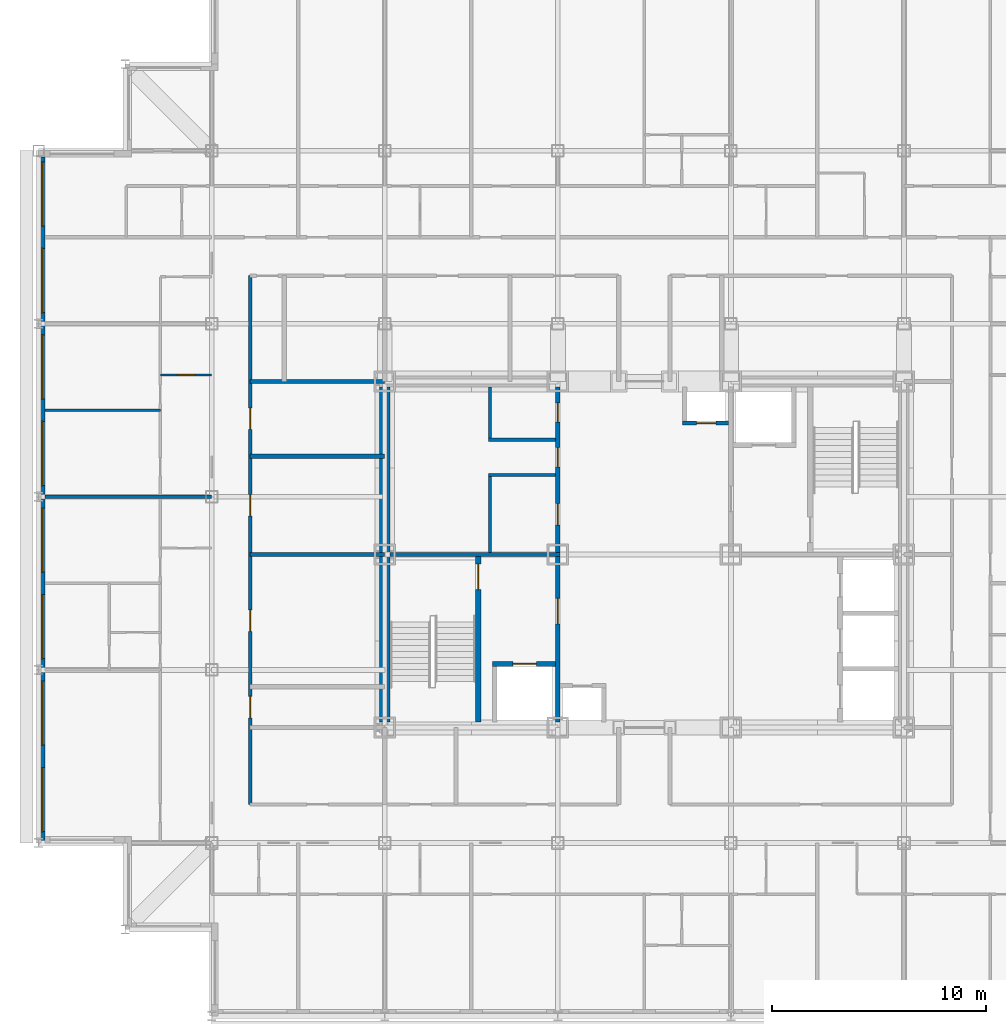
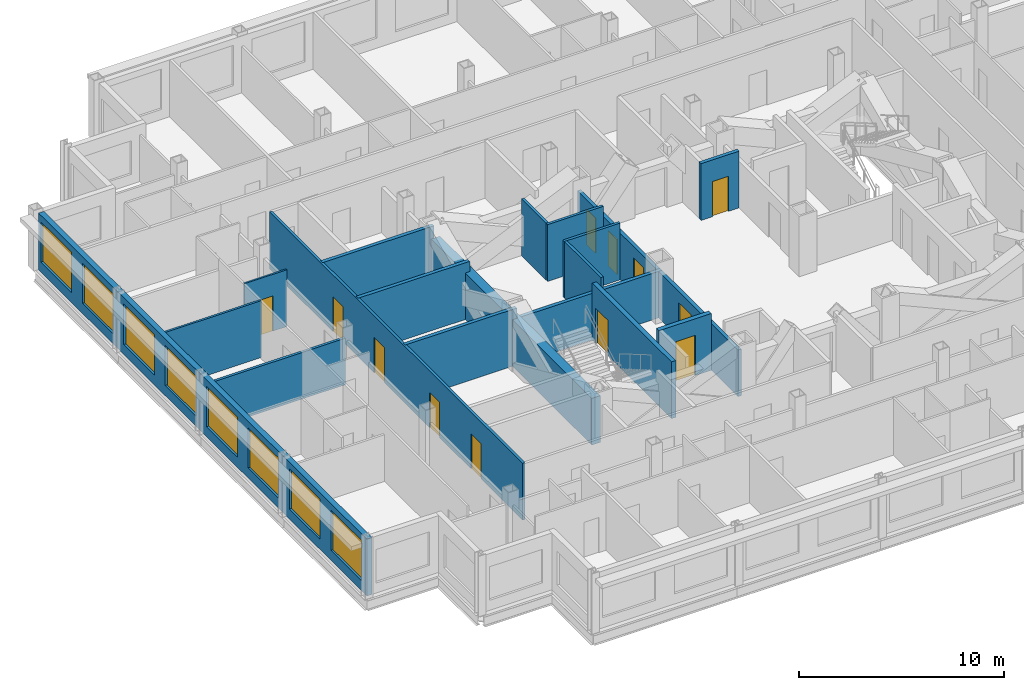
# One storey, part 6 of 12: 19 walls, 12 doors, 8 windows, 20 openings.
"""IFC4 building model written with IfcOpenShell, lengths in metres."""

from ifc_helpers import new_model, si_unit, direction, frame, frame_2d, origin, place, context, subcontext, project, spatial, rectangle, extrude, material, layer, layer_set, type_object, element, fill, save


model = new_model("IFC4")

# Units and contexts
model_context = context("Model", 3, precision=1e-05, world=origin(), true_north=direction((0.0, 1.0)))
body_context = subcontext(model_context, "Body", "Model", "MODEL_VIEW")
ifc_project = project(units=[si_unit("LENGTHUNIT", "METRE"), si_unit("AREAUNIT", "SQUARE_METRE"), si_unit("VOLUMEUNIT", "CUBIC_METRE"), si_unit("PLANEANGLEUNIT", "RADIAN"), si_unit("MASSUNIT", "GRAM", prefix="KILO")], contexts=[model_context])

# Site, building, storey
site_placement = place(None, origin())
site = spatial("IfcSite", under=ifc_project, at=site_placement, CompositionType="ELEMENT")
building_placement = place(site_placement, origin())
building = spatial("IfcBuilding", under=site, at=building_placement, Name="Kopane Lantern Tower", CompositionType="ELEMENT")
storey_placement = place(building_placement, frame((0.0, 0.0, 206.39990234375)))
storey = spatial("IfcBuildingStorey", under=building, at=storey_placement, Name="L53", CompositionType="ELEMENT", Elevation=206.39990234375)

# Wall
ifc_material_1 = material(Name="Gypsum board on steel studs", Category="steel")
ifc_layer_1 = layer(ifc_material_1, 0.1201171875)
ifc_layer_set_1 = layer_set([ifc_layer_1], Name="APARTMENT INTERNAL WALL 120")
wall_type_1 = type_object("IfcWallType", Name="APARTMENT INTERNAL WALL 120", PredefinedType="PARTITIONING", material=ifc_layer_set_1)
wall_1_placement = place(storey_placement, frame((5.699951171875, 39.14990234375, 0.0), z_axis=(0.0, 0.0, 1.0), x_axis=(-1.0, 0.0, 0.0)))
element("IfcWall", 1, at=wall_1_placement, inside=storey, type_object=wall_type_1, Name="Apartment Internal Wall 120 L53", PredefinedType="PARTITIONING", context=body_context, shape_type="SweptSolid", body=[
    extrude(rectangle(XDim=5.39990234375, YDim=0.1201171875, at=frame_2d((2.699951171875, 0.0))), origin(), (0.0, 0.0, 1.0), 3.39013671875),
])

# Wall, opening, door
ifc_material_2 = material(Name="Moisture-resistant board on steel studs", Category="steel")
ifc_layer_2 = layer(ifc_material_2, 0.10009765625)
ifc_layer_set_2 = layer_set([ifc_layer_2], Name="BATHROOM WALL 100")
wall_type_2 = type_object("IfcWallType", Name="BATHROOM WALL 100", PredefinedType="PARTITIONING", material=ifc_layer_set_2)
wall_2_placement = place(storey_placement, frame((8.10009765625, 40.800048828125, 0.0), z_axis=(0.0, 0.0, 1.0), x_axis=(-1.0, 0.0, 0.0)))
wall_2 = element("IfcWall", 2, at=wall_2_placement, inside=storey, type_object=wall_type_2, Name="Bathroom Wall 100 L53", PredefinedType="PARTITIONING", context=body_context, shape_type="SweptSolid", body=[
    extrude(rectangle(XDim=2.400146484375, YDim=0.10009765625, at=frame_2d((1.2001953125, 0.0))), origin(), (0.0, 0.0, 1.0), 3.39013671875),
])
opening_1_placement = place(wall_2_placement, frame((0.800048828125, 0.0, 0.0)))
opening_1 = element("IfcOpeningElement", 3, at=opening_1_placement, cuts=wall_2, Name="Opening L53-047", PredefinedType="OPENING", context=body_context, shape_type="SweptSolid", body=[
    extrude(rectangle(XDim=0.800048828125, YDim=2.10009765625, at=frame_2d((0.39990234375, 1.050048828125))), frame((0.0, 0.06005859375, 0.0), z_axis=(0.0, -1.0, 0.0), x_axis=(1.0, 0.0, 0.0)), (0.0, 0.0, 1.0), 0.1201171875),
])
ifc_material_3 = material(Name="Timber door set", Category="wood")
door_type_1 = type_object("IfcDoorType", Name="DOOR D2 800x2100", OperationType="SINGLE_SWING_LEFT", PredefinedType="DOOR", material=ifc_material_3)
door_1_placement = place(opening_1_placement, origin())
door_1 = element("IfcDoor", 4, at=door_1_placement, inside=storey, type_object=door_type_1, Name="Door L53-047", OperationType="SINGLE_SWING_RIGHT", OverallHeight=2.10009765625, OverallWidth=0.800048828125, PredefinedType="DOOR", context=body_context, shape_type="SweptSolid", body=[
    extrude(rectangle(XDim=0.800048828125, YDim=2.10009765625, at=frame_2d((0.39990234375, 1.050048828125))), frame((0.0, 0.02490234375, 0.0), z_axis=(0.0, -1.0, 0.0), x_axis=(1.0, 0.0, 0.0)), (0.0, 0.0, 1.0), 0.050048828125),
])
fill(opening_1, door_1)

# Walls
ifc_material_4 = material(Name="Gypsum shaft wall EI 120", Category="gypsum")
ifc_layer_3 = layer(ifc_material_4, 0.5)
ifc_layer_set_3 = layer_set([ifc_layer_3], Name="CORE PERIMETER WALL 500 EI 120")
wall_type_3 = type_object("IfcWallType", Name="CORE PERIMETER WALL 500 EI 120", PredefinedType="SOLIDWALL", material=ifc_layer_set_3)
wall_3_placement = place(storey_placement, frame((16.199951171875, 24.550048828125, 0.0), z_axis=(0.0, 0.0, 1.0), x_axis=(0.0, 1.0, 0.0)))
element("IfcWall", 5, at=wall_3_placement, inside=storey, type_object=wall_type_3, Name="Core shaft wall L53 PW", PredefinedType="SOLIDWALL", context=body_context, shape_type="SweptSolid", body=[
    extrude(rectangle(XDim=15.699951171875, YDim=0.5, at=frame_2d((7.85009765625, 0.0))), origin(), (0.0, 0.0, 1.0), 2.77783203125),
])
ifc_material_5 = material(Name="Gypsum partition EI 60", Category="gypsum")
ifc_layer_4 = layer(ifc_material_5, 0.14990234375)
ifc_layer_set_4 = layer_set([ifc_layer_4], Name="CORE ROOM PARTITION 150 EI 60")
wall_type_4 = type_object("IfcWallType", Name="CORE ROOM PARTITION 150 EI 60", PredefinedType="PARTITIONING", material=ifc_layer_set_4)
for number, where, z_axis, x_axis, name in (
    (6, (21.050048828125, 36.125, 0.0), (0.0, 0.0, 1.0), (1.0, 0.0, 0.0), "Core room partition L53 WW1"),
    (7, (21.050048828125, 37.77490234375, 0.0), (0.0, 0.0, 1.0), (1.0, 0.0, 0.0), "Core room partition L53 WW2"),
):
    element("IfcWall", number, at=place(storey_placement, frame(where, z_axis=z_axis, x_axis=x_axis)), inside=storey, type_object=wall_type_4, Name=name, PredefinedType="PARTITIONING", context=body_context, shape_type="SweptSolid", body=[
        extrude(rectangle(XDim=3.14990234375, YDim=0.14990234375, at=frame_2d((1.574951171875, 0.0))), origin(), (0.0, 0.0, 1.0), 3.39013671875),
    ])
wall_4_placement = place(storey_placement, frame((21.125, 32.5, 0.0), z_axis=(0.0, 0.0, 1.0), x_axis=(0.0, 1.0, 0.0)))
element("IfcWall", 8, at=wall_4_placement, inside=storey, type_object=wall_type_4, Name="Core room partition L53 WWB0", PredefinedType="PARTITIONING", context=body_context, shape_type="SweptSolid", body=[
    extrude(rectangle(XDim=3.550048828125, YDim=0.14990234375, at=frame_2d((1.77490234375, 0.0))), origin(), (0.0, 0.0, 1.0), 3.39013671875),
])
wall_5_placement = place(storey_placement, frame((21.125, 37.85009765625, 0.0), z_axis=(0.0, 0.0, 1.0), x_axis=(0.0, 1.0, 0.0)))
element("IfcWall", 9, at=wall_5_placement, inside=storey, type_object=wall_type_4, Name="Core room partition L53 WWB1", PredefinedType="PARTITIONING", context=body_context, shape_type="SweptSolid", body=[
    extrude(rectangle(XDim=2.39990234375, YDim=0.14990234375, at=frame_2d((1.199951171875, 0.0))), origin(), (0.0, 0.0, 1.0), 3.39013671875),
])

# Wall, openings, doors
ifc_material_6 = material(Name="Gypsum partition EI 60", Category="gypsum")
ifc_layer_5 = layer(ifc_material_6, 0.199951171875)
ifc_layer_set_5 = layer_set([ifc_layer_5], Name="CORE ROOM WALL 200 EI 60")
wall_type_5 = type_object("IfcWallType", Name="CORE ROOM WALL 200 EI 60", PredefinedType="PARTITIONING", material=ifc_layer_set_5)
wall_6_placement = place(storey_placement, frame((24.300048828125, 32.5, 0.0), z_axis=(0.0, 0.0, 1.0), x_axis=(0.0, 1.0, 0.0)))
wall_6 = element("IfcWall", 10, at=wall_6_placement, inside=storey, type_object=wall_type_5, Name="Core room wall L53 XW", PredefinedType="PARTITIONING", context=body_context, shape_type="SweptSolid", body=[
    extrude(rectangle(XDim=7.75, YDim=0.199951171875, at=frame_2d((3.875, 0.0))), origin(), (0.0, 0.0, 1.0), 2.77783203125),
])
opening_2_placement = place(wall_6_placement, frame((1.27490234375, 0.0, 0.0)))
opening_2 = element("IfcOpeningElement", 11, at=opening_2_placement, cuts=wall_6, Name="Opening 53.C30", PredefinedType="OPENING", context=body_context, shape_type="SweptSolid", body=[
    extrude(rectangle(XDim=1.0, YDim=2.10009765625, at=frame_2d((0.5, 1.050048828125))), frame((0.0, 0.10986328125, 0.0), z_axis=(0.0, -1.0, 0.0), x_axis=(1.0, 0.0, 0.0)), (0.0, 0.0, 1.0), 0.219970703125),
])
opening_3_placement = place(wall_6_placement, frame((4.0, 0.0, 0.0)))
opening_3 = element("IfcOpeningElement", 12, at=opening_3_placement, cuts=wall_6, Name="Opening 53.C31", PredefinedType="OPENING", context=body_context, shape_type="SweptSolid", body=[
    extrude(rectangle(XDim=0.89990234375, YDim=2.10009765625, at=frame_2d((0.449951171875, 1.050048828125))), frame((0.0, 0.10986328125, 0.0), z_axis=(0.0, -1.0, 0.0), x_axis=(1.0, 0.0, 0.0)), (0.0, 0.0, 1.0), 0.219970703125),
])
opening_4_placement = place(wall_6_placement, frame((6.10009765625, 0.0, 0.0)))
opening_4 = element("IfcOpeningElement", 13, at=opening_4_placement, cuts=wall_6, Name="Opening 53.C32", PredefinedType="OPENING", context=body_context, shape_type="SweptSolid", body=[
    extrude(rectangle(XDim=0.89990234375, YDim=2.10009765625, at=frame_2d((0.449951171875, 1.050048828125))), frame((0.0, 0.10986328125, 0.0), z_axis=(0.0, -1.0, 0.0), x_axis=(1.0, 0.0, 0.0)), (0.0, 0.0, 1.0), 0.219970703125),
])
ifc_material_7 = material(Name="Steel door set", Category="steel")
door_type_2 = type_object("IfcDoorType", Name="CORE ROOM DOOR 1000x2100 FD30S", OperationType="SINGLE_SWING_RIGHT", PredefinedType="DOOR", material=ifc_material_7)
door_2_placement = place(opening_2_placement, origin())
door_2 = element("IfcDoor", 14, at=door_2_placement, inside=storey, type_object=door_type_2, Name="Door Parcel room L53", OperationType="SINGLE_SWING_LEFT", OverallHeight=2.10009765625, OverallWidth=1.0, PredefinedType="DOOR", context=body_context, shape_type="SweptSolid", body=[
    extrude(rectangle(XDim=1.0, YDim=2.10009765625, at=frame_2d((0.5, 1.050048828125))), frame((0.0, 0.02490234375, 0.0), z_axis=(0.0, -1.0, 0.0), x_axis=(1.0, 0.0, 0.0)), (0.0, 0.0, 1.0), 0.050048828125),
])
fill(opening_2, door_2)
ifc_material_8 = material(Name="Steel door set", Category="steel")
door_type_3 = type_object("IfcDoorType", Name="CORE ROOM DOOR 900x2100 FD60", OperationType="SINGLE_SWING_LEFT", PredefinedType="DOOR", material=ifc_material_8)
door_3_placement = place(opening_3_placement, origin())
door_3 = element("IfcDoor", 15, at=door_3_placement, inside=storey, type_object=door_type_3, Name="Door Residents storage L53", OperationType="SINGLE_SWING_RIGHT", OverallHeight=2.10009765625, OverallWidth=0.89990234375, PredefinedType="DOOR", context=body_context, shape_type="SweptSolid", body=[
    extrude(rectangle(XDim=0.89990234375, YDim=2.10009765625, at=frame_2d((0.449951171875, 1.050048828125))), frame((0.0, 0.02490234375, 0.0), z_axis=(0.0, -1.0, 0.0), x_axis=(1.0, 0.0, 0.0)), (0.0, 0.0, 1.0), 0.050048828125),
])
fill(opening_3, door_3)
door_4_placement = place(opening_4_placement, origin())
door_4 = element("IfcDoor", 16, at=door_4_placement, inside=storey, type_object=door_type_3, Name="Door IT room L53", OperationType="SINGLE_SWING_LEFT", OverallHeight=2.10009765625, OverallWidth=0.89990234375, PredefinedType="DOOR", context=body_context, shape_type="SweptSolid", body=[
    extrude(rectangle(XDim=0.89990234375, YDim=2.10009765625, at=frame_2d((0.449951171875, 1.050048828125))), frame((0.0, 0.02490234375, 0.0), z_axis=(0.0, -1.0, 0.0), x_axis=(1.0, 0.0, 0.0)), (0.0, 0.0, 1.0), 0.050048828125),
])
fill(opening_4, door_4)

# Wall, opening, door
ifc_material_9 = material(Name="Gypsum shaft wall EI 120", Category="gypsum")
ifc_layer_6 = layer(ifc_material_9, 0.25)
ifc_layer_set_6 = layer_set([ifc_layer_6], Name="CORE SHAFT WALL 250 EI 120")
wall_type_6 = type_object("IfcWallType", Name="CORE SHAFT WALL 250 EI 120", PredefinedType="SOLIDWALL", material=ifc_layer_set_6)
wall_7_placement = place(storey_placement, frame((20.574951171875, 24.550048828125, 0.0), z_axis=(0.0, 0.0, 1.0), x_axis=(0.0, 1.0, 0.0)))
wall_7 = element("IfcWall", 17, at=wall_7_placement, inside=storey, type_object=wall_type_6, Name="Core shaft wall L53 XST1", PredefinedType="SOLIDWALL", context=body_context, shape_type="SweptSolid", body=[
    extrude(rectangle(XDim=7.75, YDim=0.25, at=frame_2d((3.875, 0.0))), origin(), (0.0, 0.0, 1.0), 3.39013671875),
])
opening_5_placement = place(wall_7_placement, frame((6.199951171875, 0.0, 0.0)))
opening_5 = element("IfcOpeningElement", 18, at=opening_5_placement, cuts=wall_7, Name="Opening 53.SD1", PredefinedType="OPENING", context=body_context, shape_type="SweptSolid", body=[
    extrude(rectangle(XDim=1.199951171875, YDim=2.10009765625, at=frame_2d((0.60009765625, 1.050048828125))), frame((0.0, 0.135009765625, 0.0), z_axis=(0.0, -1.0, 0.0), x_axis=(1.0, 0.0, 0.0)), (0.0, 0.0, 1.0), 0.27001953125),
])
ifc_material_10 = material(Name="Steel door set", Category="steel")
door_type_4 = type_object("IfcDoorType", Name="STAIR DOOR 1200x2100 FD60S", OperationType="SINGLE_SWING_LEFT", PredefinedType="DOOR", material=ifc_material_10)
door_5_placement = place(opening_5_placement, origin())
door_5 = element("IfcDoor", 19, at=door_5_placement, inside=storey, type_object=door_type_4, Name="Stair door ST1 L53", OperationType="SINGLE_SWING_LEFT", OverallHeight=2.10009765625, OverallWidth=1.199951171875, PredefinedType="DOOR", context=body_context, shape_type="SweptSolid", body=[
    extrude(rectangle(XDim=1.199951171875, YDim=2.10009765625, at=frame_2d((0.60009765625, 1.050048828125))), frame((0.0, 0.02490234375, 0.0), z_axis=(0.0, -1.0, 0.0), x_axis=(1.0, 0.0, 0.0)), (0.0, 0.0, 1.0), 0.050048828125),
])
fill(opening_5, door_5)

wall_8_placement = place(storey_placement, frame((21.25, 27.27490234375, 0.0), z_axis=(0.0, 0.0, 1.0), x_axis=(1.0, 0.0, 0.0)))
wall_8 = element("IfcWall", 20, at=wall_8_placement, inside=storey, type_object=wall_type_6, Name="Core shaft wall L53 YLF1", PredefinedType="SOLIDWALL", context=body_context, shape_type="SweptSolid", body=[
    extrude(rectangle(XDim=2.949951171875, YDim=0.25, at=frame_2d((1.47509765625, 0.0))), origin(), (0.0, 0.0, 1.0), 3.39013671875),
])
opening_6_placement = place(wall_8_placement, frame((0.949951171875, 0.0, 0.0)))
opening_6 = element("IfcOpeningElement", 21, at=opening_6_placement, cuts=wall_8, Name="Opening 53.LD-LF1", PredefinedType="OPENING", context=body_context, shape_type="SweptSolid", body=[
    extrude(rectangle(XDim=1.10009765625, YDim=2.39990234375, at=frame_2d((0.550048828125, 1.199951171875))), frame((0.0, 0.135009765625, 0.0), z_axis=(0.0, -1.0, 0.0), x_axis=(1.0, 0.0, 0.0)), (0.0, 0.0, 1.0), 0.27001953125),
])
ifc_material_11 = material(Name="Steel door set", Category="steel")
door_type_5 = type_object("IfcDoorType", Name="LIFT LANDING DOOR 1100x2400 FD60", OperationType="DOUBLE_DOOR_SLIDING", PredefinedType="DOOR", material=ifc_material_11)
door_6_placement = place(opening_6_placement, origin())
door_6 = element("IfcDoor", 22, at=door_6_placement, inside=storey, type_object=door_type_5, Name="Landing door LF1 L53", OperationType="DOUBLE_DOOR_SLIDING", OverallHeight=2.39990234375, OverallWidth=1.10009765625, PredefinedType="DOOR", context=body_context, shape_type="SweptSolid", body=[
    extrude(rectangle(XDim=1.10009765625, YDim=2.39990234375, at=frame_2d((0.550048828125, 1.199951171875))), frame((0.0, 0.02490234375, 0.0), z_axis=(0.0, -1.0, 0.0), x_axis=(1.0, 0.0, 0.0)), (0.0, 0.0, 1.0), 0.050048828125),
])
fill(opening_6, door_6)

# Wall, openings, doors
ifc_material_12 = material(Name="Gypsum board on steel studs", Category="steel")
ifc_layer_7 = layer(ifc_material_12, 0.14990234375)
ifc_layer_set_7 = layer_set([ifc_layer_7], Name="CORRIDOR WALL 150 EI 60")
wall_type_7 = type_object("IfcWallType", Name="CORRIDOR WALL 150 EI 60", PredefinedType="PARTITIONING", material=ifc_layer_set_7)
wall_9_placement = place(storey_placement, frame((9.89990234375, 45.449951171875, 0.0), z_axis=(0.0, 0.0, 1.0), x_axis=(0.0, -1.0, 0.0)))
wall_9 = element("IfcWall", 23, at=wall_9_placement, inside=storey, type_object=wall_type_7, Name="Corridor Wall 150 Ei 60 L53", PredefinedType="PARTITIONING", context=body_context, shape_type="SweptSolid", body=[
    extrude(rectangle(XDim=24.75, YDim=0.14990234375, at=frame_2d((12.375, 0.0))), origin(), (0.0, 0.0, 1.0), 3.39013671875),
])
opening_7_placement = place(wall_9_placement, frame((19.697509765625, 0.0, 0.0)))
opening_7 = element("IfcOpeningElement", 24, at=opening_7_placement, cuts=wall_9, Name="Opening L53-001", PredefinedType="OPENING", context=body_context, shape_type="SweptSolid", body=[
    extrude(rectangle(XDim=1.0, YDim=2.10009765625, at=frame_2d((0.5, 1.050048828125))), frame((0.0, 0.0849609375, 0.0), z_axis=(0.0, -1.0, 0.0), x_axis=(1.0, 0.0, 0.0)), (0.0, 0.0, 1.0), 0.169921875),
])
opening_8_placement = place(wall_9_placement, frame((15.647705078125, 0.0, 0.0)))
opening_8 = element("IfcOpeningElement", 25, at=opening_8_placement, cuts=wall_9, Name="Opening L53-002", PredefinedType="OPENING", context=body_context, shape_type="SweptSolid", body=[
    extrude(rectangle(XDim=1.0, YDim=2.10009765625, at=frame_2d((0.5, 1.050048828125))), frame((0.0, 0.0849609375, 0.0), z_axis=(0.0, -1.0, 0.0), x_axis=(1.0, 0.0, 0.0)), (0.0, 0.0, 1.0), 0.169921875),
])
opening_9_placement = place(wall_9_placement, frame((10.248291015625, 0.0, 0.0)))
opening_9 = element("IfcOpeningElement", 26, at=opening_9_placement, cuts=wall_9, Name="Opening L53-003", PredefinedType="OPENING", context=body_context, shape_type="SweptSolid", body=[
    extrude(rectangle(XDim=1.0, YDim=2.10009765625, at=frame_2d((0.5, 1.050048828125))), frame((0.0, 0.0849609375, 0.0), z_axis=(0.0, -1.0, 0.0), x_axis=(1.0, 0.0, 0.0)), (0.0, 0.0, 1.0), 0.169921875),
])
opening_10_placement = place(wall_9_placement, frame((6.198486328125, 0.0, 0.0)))
opening_10 = element("IfcOpeningElement", 27, at=opening_10_placement, cuts=wall_9, Name="Opening L53-004", PredefinedType="OPENING", context=body_context, shape_type="SweptSolid", body=[
    extrude(rectangle(XDim=1.0, YDim=2.10009765625, at=frame_2d((0.5, 1.050048828125))), frame((0.0, 0.0849609375, 0.0), z_axis=(0.0, -1.0, 0.0), x_axis=(1.0, 0.0, 0.0)), (0.0, 0.0, 1.0), 0.169921875),
])
ifc_material_13 = material(Name="Steel door set", Category="steel")
door_type_6 = type_object("IfcDoorType", Name="DOOR D5 1000x2100 FD60", OperationType="SINGLE_SWING_LEFT", PredefinedType="DOOR", material=ifc_material_13)
door_7_placement = place(opening_7_placement, origin())
door_7 = element("IfcDoor", 28, at=door_7_placement, inside=storey, type_object=door_type_6, Name="Door L53-001", OperationType="SINGLE_SWING_RIGHT", OverallHeight=2.10009765625, OverallWidth=1.0, PredefinedType="DOOR", context=body_context, shape_type="SweptSolid", body=[
    extrude(rectangle(XDim=1.0, YDim=2.10009765625, at=frame_2d((0.5, 1.050048828125))), frame((0.0, 0.02490234375, 0.0), z_axis=(0.0, -1.0, 0.0), x_axis=(1.0, 0.0, 0.0)), (0.0, 0.0, 1.0), 0.050048828125),
])
fill(opening_7, door_7)
door_8_placement = place(opening_8_placement, origin())
door_8 = element("IfcDoor", 29, at=door_8_placement, inside=storey, type_object=door_type_6, Name="Door L53-002", OperationType="SINGLE_SWING_LEFT", OverallHeight=2.10009765625, OverallWidth=1.0, PredefinedType="DOOR", context=body_context, shape_type="SweptSolid", body=[
    extrude(rectangle(XDim=1.0, YDim=2.10009765625, at=frame_2d((0.5, 1.050048828125))), frame((0.0, 0.02490234375, 0.0), z_axis=(0.0, -1.0, 0.0), x_axis=(1.0, 0.0, 0.0)), (0.0, 0.0, 1.0), 0.050048828125),
])
fill(opening_8, door_8)
door_9_placement = place(opening_9_placement, origin())
door_9 = element("IfcDoor", 30, at=door_9_placement, inside=storey, type_object=door_type_6, Name="Door L53-003", OperationType="SINGLE_SWING_RIGHT", OverallHeight=2.10009765625, OverallWidth=1.0, PredefinedType="DOOR", context=body_context, shape_type="SweptSolid", body=[
    extrude(rectangle(XDim=1.0, YDim=2.10009765625, at=frame_2d((0.5, 1.050048828125))), frame((0.0, 0.02490234375, 0.0), z_axis=(0.0, -1.0, 0.0), x_axis=(1.0, 0.0, 0.0)), (0.0, 0.0, 1.0), 0.050048828125),
])
fill(opening_9, door_9)
door_10_placement = place(opening_10_placement, origin())
door_10 = element("IfcDoor", 31, at=door_10_placement, inside=storey, type_object=door_type_6, Name="Door L53-004", OperationType="SINGLE_SWING_LEFT", OverallHeight=2.10009765625, OverallWidth=1.0, PredefinedType="DOOR", context=body_context, shape_type="SweptSolid", body=[
    extrude(rectangle(XDim=1.0, YDim=2.10009765625, at=frame_2d((0.5, 1.050048828125))), frame((0.0, 0.02490234375, 0.0), z_axis=(0.0, -1.0, 0.0), x_axis=(1.0, 0.0, 0.0)), (0.0, 0.0, 1.0), 0.050048828125),
])
fill(opening_10, door_10)

# Wall
ifc_material_14 = material(Name="Gypsum board on steel studs", Category="steel")
ifc_layer_8 = layer(ifc_material_14, 0.14990234375)
ifc_layer_set_8 = layer_set([ifc_layer_8], Name="DEMISING WALL 150 EI 60")
wall_type_8 = type_object("IfcWallType", Name="DEMISING WALL 150 EI 60", PredefinedType="PARTITIONING", material=ifc_layer_set_8)
wall_10_placement = place(storey_placement, frame((8.10009765625, 35.10009765625, 0.0), z_axis=(0.0, 0.0, 1.0), x_axis=(-1.0, 0.0, 0.0)))
element("IfcWall", 32, at=wall_10_placement, inside=storey, type_object=wall_type_8, Name="Demising Wall 150 Ei 60 L53", PredefinedType="PARTITIONING", context=body_context, shape_type="SweptSolid", body=[
    extrude(rectangle(XDim=7.800048828125, YDim=0.14990234375, at=frame_2d((3.89990234375, 0.0))), origin(), (0.0, 0.0, 1.0), 2.77783203125),
])

# Wall, openings, windows
ifc_material_15 = material(Name="Terracotta rainscreen on light steel framing", Category="masonry")
ifc_layer_9 = layer(ifc_material_15, 0.300048828125)
ifc_layer_set_9 = layer_set([ifc_layer_9], Name="EXTERNAL WALL EW1 300 TERRACOTTA")
wall_type_9 = type_object("IfcWallType", Name="EXTERNAL WALL EW1 300 TERRACOTTA", PredefinedType="SOLIDWALL", material=ifc_layer_set_9)
wall_11_placement = place(storey_placement, frame((0.14990234375, 51.0, 0.0), z_axis=(0.0, 0.0, 1.0), x_axis=(0.0, -1.0, 0.0)))
wall_11 = element("IfcWall", 33, at=wall_11_placement, inside=storey, type_object=wall_type_9, Name="External wall W L53", PredefinedType="SOLIDWALL", context=body_context, shape_type="SweptSolid", body=[
    extrude(rectangle(XDim=32.10009765625, YDim=0.300048828125, at=frame_2d((16.050048828125, 0.0))), origin(), (0.0, 0.0, 1.0), 3.39013671875),
])
opening_11_placement = place(wall_11_placement, frame((0.22509765625, 0.0, 0.60009765625)))
opening_11 = element("IfcOpeningElement", 34, at=opening_11_placement, cuts=wall_11, Name="Opening WR300240", PredefinedType="OPENING", context=body_context, shape_type="SweptSolid", body=[
    extrude(rectangle(XDim=3.0, YDim=2.39990234375, at=frame_2d((1.5, 1.199951171875))), frame((0.0, 0.159912109375, 0.0), z_axis=(0.0, -1.0, 0.0), x_axis=(1.0, 0.0, 0.0)), (0.0, 0.0, 1.0), 0.320068359375),
])
opening_12_placement = place(wall_11_placement, frame((4.27490234375, 0.0, 0.60009765625)))
opening_12 = element("IfcOpeningElement", 35, at=opening_12_placement, cuts=wall_11, Name="Opening WR300240", PredefinedType="OPENING", context=body_context, shape_type="SweptSolid", body=[
    extrude(rectangle(XDim=3.0, YDim=2.39990234375, at=frame_2d((1.5, 1.199951171875))), frame((0.0, 0.159912109375, 0.0), z_axis=(0.0, -1.0, 0.0), x_axis=(1.0, 0.0, 0.0)), (0.0, 0.0, 1.0), 0.320068359375),
])
opening_13_placement = place(wall_11_placement, frame((8.324951171875, 0.0, 0.60009765625)))
opening_13 = element("IfcOpeningElement", 36, at=opening_13_placement, cuts=wall_11, Name="Opening WR300240", PredefinedType="OPENING", context=body_context, shape_type="SweptSolid", body=[
    extrude(rectangle(XDim=3.0, YDim=2.39990234375, at=frame_2d((1.5, 1.199951171875))), frame((0.0, 0.159912109375, 0.0), z_axis=(0.0, -1.0, 0.0), x_axis=(1.0, 0.0, 0.0)), (0.0, 0.0, 1.0), 0.320068359375),
])
opening_14_placement = place(wall_11_placement, frame((12.375, 0.0, 0.60009765625)))
opening_14 = element("IfcOpeningElement", 37, at=opening_14_placement, cuts=wall_11, Name="Opening WR300240", PredefinedType="OPENING", context=body_context, shape_type="SweptSolid", body=[
    extrude(rectangle(XDim=3.0, YDim=2.39990234375, at=frame_2d((1.5, 1.199951171875))), frame((0.0, 0.159912109375, 0.0), z_axis=(0.0, -1.0, 0.0), x_axis=(1.0, 0.0, 0.0)), (0.0, 0.0, 1.0), 0.320068359375),
])
opening_15_placement = place(wall_11_placement, frame((16.425048828125, 0.0, 0.60009765625)))
opening_15 = element("IfcOpeningElement", 38, at=opening_15_placement, cuts=wall_11, Name="Opening WR300240", PredefinedType="OPENING", context=body_context, shape_type="SweptSolid", body=[
    extrude(rectangle(XDim=3.0, YDim=2.39990234375, at=frame_2d((1.5, 1.199951171875))), frame((0.0, 0.159912109375, 0.0), z_axis=(0.0, -1.0, 0.0), x_axis=(1.0, 0.0, 0.0)), (0.0, 0.0, 1.0), 0.320068359375),
])
opening_16_placement = place(wall_11_placement, frame((20.47509765625, 0.0, 0.60009765625)))
opening_16 = element("IfcOpeningElement", 39, at=opening_16_placement, cuts=wall_11, Name="Opening WR300240", PredefinedType="OPENING", context=body_context, shape_type="SweptSolid", body=[
    extrude(rectangle(XDim=3.0, YDim=2.39990234375, at=frame_2d((1.5, 1.199951171875))), frame((0.0, 0.159912109375, 0.0), z_axis=(0.0, -1.0, 0.0), x_axis=(1.0, 0.0, 0.0)), (0.0, 0.0, 1.0), 0.320068359375),
])
opening_17_placement = place(wall_11_placement, frame((24.52490234375, 0.0, 0.60009765625)))
opening_17 = element("IfcOpeningElement", 40, at=opening_17_placement, cuts=wall_11, Name="Opening WR300240", PredefinedType="OPENING", context=body_context, shape_type="SweptSolid", body=[
    extrude(rectangle(XDim=3.0, YDim=2.39990234375, at=frame_2d((1.5, 1.199951171875))), frame((0.0, 0.159912109375, 0.0), z_axis=(0.0, -1.0, 0.0), x_axis=(1.0, 0.0, 0.0)), (0.0, 0.0, 1.0), 0.320068359375),
])
opening_18_placement = place(wall_11_placement, frame((28.574951171875, 0.0, 0.60009765625)))
opening_18 = element("IfcOpeningElement", 41, at=opening_18_placement, cuts=wall_11, Name="Opening WR300240", PredefinedType="OPENING", context=body_context, shape_type="SweptSolid", body=[
    extrude(rectangle(XDim=3.0, YDim=2.39990234375, at=frame_2d((1.5, 1.199951171875))), frame((0.0, 0.159912109375, 0.0), z_axis=(0.0, -1.0, 0.0), x_axis=(1.0, 0.0, 0.0)), (0.0, 0.0, 1.0), 0.320068359375),
])
ifc_material_16 = material(Name="Aluminium and clear glass", Category="aluminium")
window_type = type_object("IfcWindowType", Name="RIBBON WINDOW WR300240 3000x2400", PartitioningType="SINGLE_PANEL", PredefinedType="WINDOW", material=ifc_material_16)
window_1_placement = place(opening_11_placement, origin())
window_1 = element("IfcWindow", 42, at=window_1_placement, inside=storey, type_object=window_type, Name="Window W L53", OverallHeight=2.39990234375, OverallWidth=3.0, PartitioningType="SINGLE_PANEL", PredefinedType="WINDOW", context=body_context, shape_type="SweptSolid", body=[
    extrude(rectangle(XDim=3.0, YDim=2.39990234375, at=frame_2d((1.5, 1.199951171875))), frame((0.0, 0.030029296875, 0.0), z_axis=(0.0, -1.0, 0.0), x_axis=(1.0, 0.0, 0.0)), (0.0, 0.0, 1.0), 0.06005859375),
])
fill(opening_11, window_1)
window_2_placement = place(opening_12_placement, origin())
window_2 = element("IfcWindow", 43, at=window_2_placement, inside=storey, type_object=window_type, Name="Window W L53", OverallHeight=2.39990234375, OverallWidth=3.0, PartitioningType="SINGLE_PANEL", PredefinedType="WINDOW", context=body_context, shape_type="SweptSolid", body=[
    extrude(rectangle(XDim=3.0, YDim=2.39990234375, at=frame_2d((1.5, 1.199951171875))), frame((0.0, 0.030029296875, 0.0), z_axis=(0.0, -1.0, 0.0), x_axis=(1.0, 0.0, 0.0)), (0.0, 0.0, 1.0), 0.06005859375),
])
fill(opening_12, window_2)
window_3_placement = place(opening_13_placement, origin())
window_3 = element("IfcWindow", 44, at=window_3_placement, inside=storey, type_object=window_type, Name="Window W L53", OverallHeight=2.39990234375, OverallWidth=3.0, PartitioningType="SINGLE_PANEL", PredefinedType="WINDOW", context=body_context, shape_type="SweptSolid", body=[
    extrude(rectangle(XDim=3.0, YDim=2.39990234375, at=frame_2d((1.5, 1.199951171875))), frame((0.0, 0.030029296875, 0.0), z_axis=(0.0, -1.0, 0.0), x_axis=(1.0, 0.0, 0.0)), (0.0, 0.0, 1.0), 0.06005859375),
])
fill(opening_13, window_3)
window_4_placement = place(opening_14_placement, origin())
window_4 = element("IfcWindow", 45, at=window_4_placement, inside=storey, type_object=window_type, Name="Window W L53", OverallHeight=2.39990234375, OverallWidth=3.0, PartitioningType="SINGLE_PANEL", PredefinedType="WINDOW", context=body_context, shape_type="SweptSolid", body=[
    extrude(rectangle(XDim=3.0, YDim=2.39990234375, at=frame_2d((1.5, 1.199951171875))), frame((0.0, 0.030029296875, 0.0), z_axis=(0.0, -1.0, 0.0), x_axis=(1.0, 0.0, 0.0)), (0.0, 0.0, 1.0), 0.06005859375),
])
fill(opening_14, window_4)
window_5_placement = place(opening_15_placement, origin())
window_5 = element("IfcWindow", 46, at=window_5_placement, inside=storey, type_object=window_type, Name="Window W L53", OverallHeight=2.39990234375, OverallWidth=3.0, PartitioningType="SINGLE_PANEL", PredefinedType="WINDOW", context=body_context, shape_type="SweptSolid", body=[
    extrude(rectangle(XDim=3.0, YDim=2.39990234375, at=frame_2d((1.5, 1.199951171875))), frame((0.0, 0.030029296875, 0.0), z_axis=(0.0, -1.0, 0.0), x_axis=(1.0, 0.0, 0.0)), (0.0, 0.0, 1.0), 0.06005859375),
])
fill(opening_15, window_5)
window_6_placement = place(opening_16_placement, origin())
window_6 = element("IfcWindow", 47, at=window_6_placement, inside=storey, type_object=window_type, Name="Window W L53", OverallHeight=2.39990234375, OverallWidth=3.0, PartitioningType="SINGLE_PANEL", PredefinedType="WINDOW", context=body_context, shape_type="SweptSolid", body=[
    extrude(rectangle(XDim=3.0, YDim=2.39990234375, at=frame_2d((1.5, 1.199951171875))), frame((0.0, 0.030029296875, 0.0), z_axis=(0.0, -1.0, 0.0), x_axis=(1.0, 0.0, 0.0)), (0.0, 0.0, 1.0), 0.06005859375),
])
fill(opening_16, window_6)
window_7_placement = place(opening_17_placement, origin())
window_7 = element("IfcWindow", 48, at=window_7_placement, inside=storey, type_object=window_type, Name="Window W L53", OverallHeight=2.39990234375, OverallWidth=3.0, PartitioningType="SINGLE_PANEL", PredefinedType="WINDOW", context=body_context, shape_type="SweptSolid", body=[
    extrude(rectangle(XDim=3.0, YDim=2.39990234375, at=frame_2d((1.5, 1.199951171875))), frame((0.0, 0.030029296875, 0.0), z_axis=(0.0, -1.0, 0.0), x_axis=(1.0, 0.0, 0.0)), (0.0, 0.0, 1.0), 0.06005859375),
])
fill(opening_17, window_7)
window_8_placement = place(opening_18_placement, origin())
window_8 = element("IfcWindow", 49, at=window_8_placement, inside=storey, type_object=window_type, Name="Window W L53", OverallHeight=2.39990234375, OverallWidth=3.0, PartitioningType="SINGLE_PANEL", PredefinedType="WINDOW", context=body_context, shape_type="SweptSolid", body=[
    extrude(rectangle(XDim=3.0, YDim=2.39990234375, at=frame_2d((1.5, 1.199951171875))), frame((0.0, 0.030029296875, 0.0), z_axis=(0.0, -1.0, 0.0), x_axis=(1.0, 0.0, 0.0)), (0.0, 0.0, 1.0), 0.06005859375),
])
fill(opening_18, window_8)

# Walls
ifc_material_17 = material(Name="Concrete masonry", Category="masonry")
ifc_layer_10 = layer(ifc_material_17, 0.199951171875)
ifc_layer_set_10 = layer_set([ifc_layer_10], Name="PLANT ROOM WALL 200 EI 120")
wall_type_10 = type_object("IfcWallType", Name="PLANT ROOM WALL 200 EI 120", PredefinedType="SOLIDWALL", material=ifc_layer_set_10)
for number, where, z_axis, x_axis, name in (
    (50, (9.89990234375, 32.39990234375, 0.0), (0.0, 0.0, 1.0), (1.0, 0.0, 0.0), "Plant Room Wall 200 Ei 120 L53"),
    (51, (9.89990234375, 37.003173828125, 0.0), (0.0, 0.0, 1.0), (1.0, 0.0, 0.0), "Plant Room Wall 200 Ei 120 L53"),
    (52, (9.89990234375, 40.5, 0.0), (0.0, 0.0, 1.0), (1.0, 0.0, 0.0), "Plant Room Wall 200 Ei 120 L53"),
):
    element("IfcWall", number, at=place(storey_placement, frame(where, z_axis=z_axis, x_axis=x_axis)), inside=storey, type_object=wall_type_10, Name=name, PredefinedType="SOLIDWALL", context=body_context, shape_type="SweptSolid", body=[
        extrude(rectangle(XDim=6.300048828125, YDim=0.199951171875, at=frame_2d((3.14990234375, 0.0))), origin(), (0.0, 0.0, 1.0), 3.39013671875),
    ])
ifc_material_18 = material(Name="Gypsum shaft wall EI 120", Category="gypsum")
ifc_layer_11 = layer(ifc_material_18, 0.199951171875)
ifc_layer_set_11 = layer_set([ifc_layer_11], Name="SHAFT WALL 200 EI 120")
wall_type_11 = type_object("IfcWallType", Name="SHAFT WALL 200 EI 120", PredefinedType="SOLIDWALL", material=ifc_layer_set_11)
wall_12_placement = place(storey_placement, frame((16.449951171875, 32.39990234375, 0.0), z_axis=(0.0, 0.0, 1.0), x_axis=(1.0, 0.0, 0.0)))
element("IfcWall", 53, at=wall_12_placement, inside=storey, type_object=wall_type_11, Name="Core shaft wall L53 Y324W", PredefinedType="SOLIDWALL", context=body_context, shape_type="SweptSolid", body=[
    extrude(rectangle(XDim=7.949951171875, YDim=0.199951171875, at=frame_2d((3.97509765625, 0.0))), origin(), (0.0, 0.0, 1.0), 2.77783203125),
])

# Wall, opening, door
wall_13_placement = place(storey_placement, frame((24.300048828125, 24.550048828125, 0.0), z_axis=(0.0, 0.0, 1.0), x_axis=(0.0, 1.0, 0.0)))
wall_13 = element("IfcWall", 54, at=wall_13_placement, inside=storey, type_object=wall_type_11, Name="Core shaft wall L53 X243", PredefinedType="SOLIDWALL", context=body_context, shape_type="SweptSolid", body=[
    extrude(rectangle(XDim=7.75, YDim=0.199951171875, at=frame_2d((3.875, 0.0))), origin(), (0.0, 0.0, 1.0), 2.77783203125),
])
opening_19_placement = place(wall_13_placement, frame((4.60009765625, 0.0, 0.0)))
opening_19 = element("IfcOpeningElement", 55, at=opening_19_placement, cuts=wall_13, Name="Opening 53.FL1", PredefinedType="OPENING", context=body_context, shape_type="SweptSolid", body=[
    extrude(rectangle(XDim=1.199951171875, YDim=2.10009765625, at=frame_2d((0.60009765625, 1.050048828125))), frame((0.0, 0.10986328125, 0.0), z_axis=(0.0, -1.0, 0.0), x_axis=(1.0, 0.0, 0.0)), (0.0, 0.0, 1.0), 0.219970703125),
])
ifc_material_19 = material(Name="Steel door set", Category="steel")
door_type_7 = type_object("IfcDoorType", Name="FIREFIGHTING LOBBY DOOR 1200x2100 FD60S", OperationType="SINGLE_SWING_RIGHT", PredefinedType="DOOR", material=ifc_material_19)
door_11_placement = place(opening_19_placement, origin())
door_11 = element("IfcDoor", 56, at=door_11_placement, inside=storey, type_object=door_type_7, Name="Firefighting lobby door FL1 L53", OperationType="SINGLE_SWING_LEFT", OverallHeight=2.10009765625, OverallWidth=1.199951171875, PredefinedType="DOOR", context=body_context, shape_type="SweptSolid", body=[
    extrude(rectangle(XDim=1.199951171875, YDim=2.10009765625, at=frame_2d((0.60009765625, 1.050048828125))), frame((0.0, 0.02490234375, 0.0), z_axis=(0.0, -1.0, 0.0), x_axis=(1.0, 0.0, 0.0)), (0.0, 0.0, 1.0), 0.050048828125),
])
fill(opening_19, door_11)

wall_14_placement = place(storey_placement, frame((30.14990234375, 38.550048828125, 0.0), z_axis=(0.0, 0.0, 1.0), x_axis=(1.0, 0.0, 0.0)))
wall_14 = element("IfcWall", 57, at=wall_14_placement, inside=storey, type_object=wall_type_11, Name="Core shaft wall L53 YRS2", PredefinedType="SOLIDWALL", context=body_context, shape_type="SweptSolid", body=[
    extrude(rectangle(XDim=2.150146484375, YDim=0.199951171875, at=frame_2d((1.0751953125, 0.0))), origin(), (0.0, 0.0, 1.0), 3.39013671875),
])
opening_20_placement = place(wall_14_placement, frame((0.64990234375, 0.0, 0.0)))
opening_20 = element("IfcOpeningElement", 58, at=opening_20_placement, cuts=wall_14, Name="Opening 53.RS2", PredefinedType="OPENING", context=body_context, shape_type="SweptSolid", body=[
    extrude(rectangle(XDim=0.89990234375, YDim=2.10009765625, at=frame_2d((0.449951171875, 1.050048828125))), frame((0.0, 0.10986328125, 0.0), z_axis=(0.0, -1.0, 0.0), x_axis=(1.0, 0.0, 0.0)), (0.0, 0.0, 1.0), 0.219970703125),
])
ifc_material_20 = material(Name="Steel door set", Category="steel")
door_type_8 = type_object("IfcDoorType", Name="RISER ACCESS DOOR 900x2100 FD60", OperationType="SINGLE_SWING_LEFT", PredefinedType="DOOR", material=ifc_material_20)
door_12_placement = place(opening_20_placement, origin())
door_12 = element("IfcDoor", 59, at=door_12_placement, inside=storey, type_object=door_type_8, Name="Riser access door RS2 L53", OperationType="SINGLE_SWING_LEFT", OverallHeight=2.10009765625, OverallWidth=0.89990234375, PredefinedType="DOOR", context=body_context, shape_type="SweptSolid", body=[
    extrude(rectangle(XDim=0.89990234375, YDim=2.10009765625, at=frame_2d((0.449951171875, 1.050048828125))), frame((0.0, 0.02490234375, 0.0), z_axis=(0.0, -1.0, 0.0), x_axis=(1.0, 0.0, 0.0)), (0.0, 0.0, 1.0), 0.050048828125),
])
fill(opening_20, door_12)

save(model, "model.ifc")
